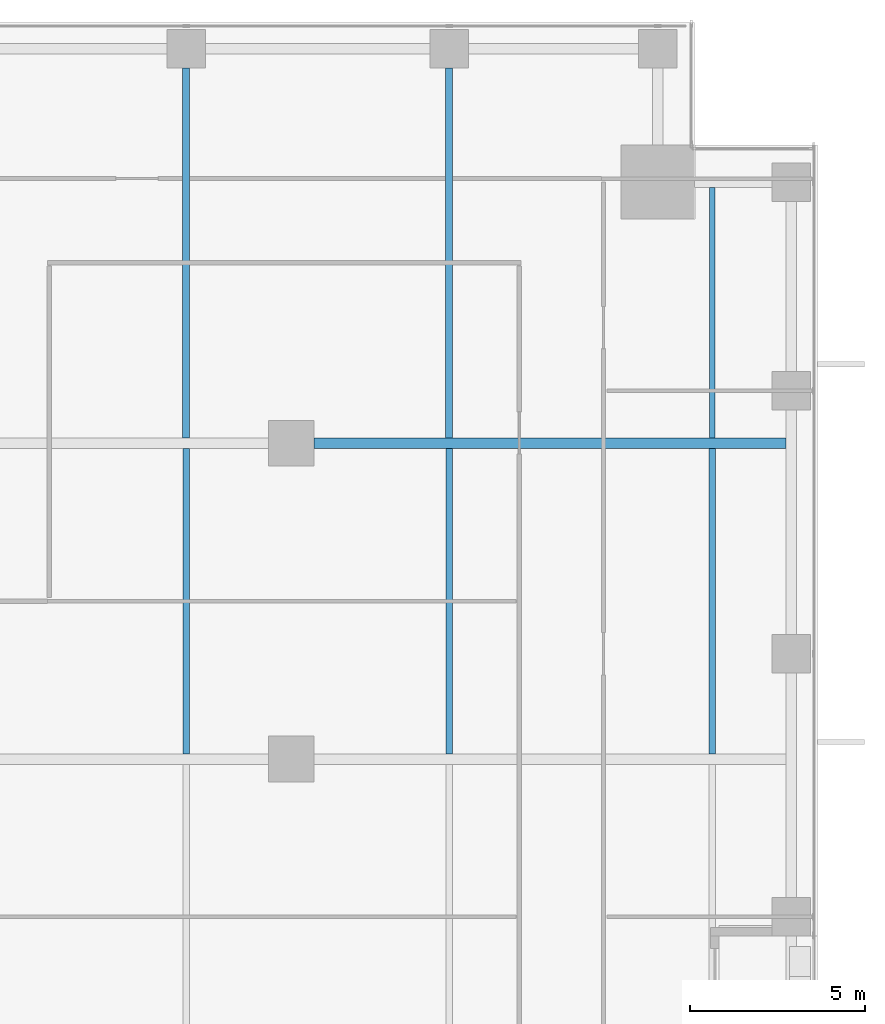
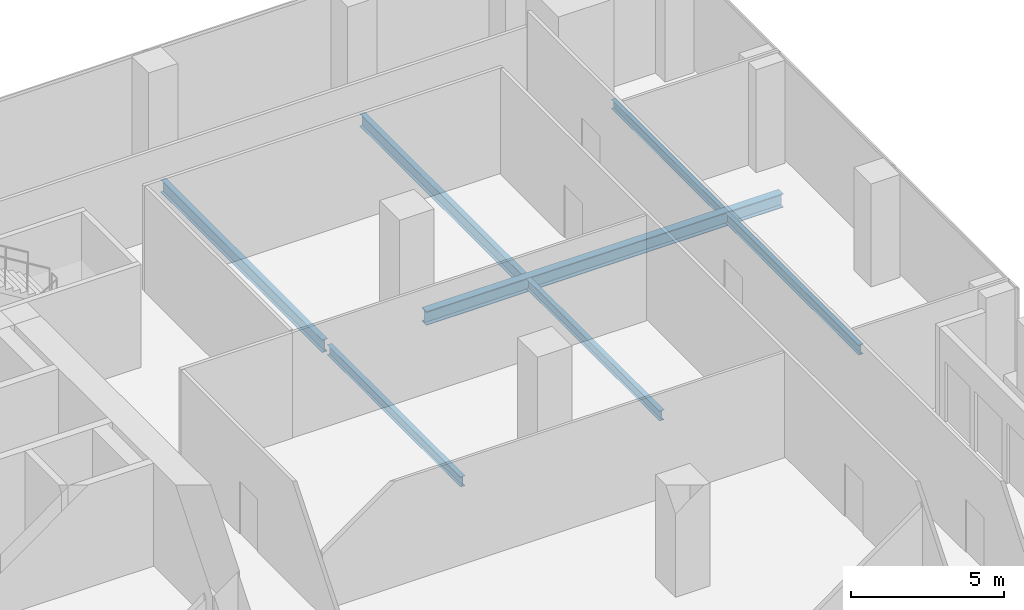
# One storey, part 18 of 34: 7 beams.
"""IFC4 building model written with IfcOpenShell, lengths in metres."""

from ifc_helpers import new_model, si_unit, direction, frame, origin, origin_2d, place, context, subcontext, project, spatial, i_section, extrude, source, transform, mapped, material, material_profile, profile_set, type_object, element, save


model = new_model("IFC4")

# Units and contexts
model_context = context("Model", 3, precision=1e-05, world=origin(), true_north=direction((0.0, 1.0)))
body_context = subcontext(model_context, "Body", "Model", "MODEL_VIEW")
ifc_project = project(units=[si_unit("LENGTHUNIT", "METRE"), si_unit("AREAUNIT", "SQUARE_METRE"), si_unit("VOLUMEUNIT", "CUBIC_METRE"), si_unit("PLANEANGLEUNIT", "RADIAN"), si_unit("MASSUNIT", "GRAM", prefix="KILO")], contexts=[model_context])

# Site, building, storey
site_placement = place(None, origin())
site = spatial("IfcSite", under=ifc_project, at=site_placement, CompositionType="ELEMENT")
building_placement = place(site_placement, origin())
building = spatial("IfcBuilding", under=site, at=building_placement, Name="Khomas Fold Tower", CompositionType="ELEMENT")
storey_placement = place(building_placement, frame((0.0, 0.0, 110.300048828125)))
storey = spatial("IfcBuildingStorey", under=building, at=storey_placement, Name="L23", CompositionType="ELEMENT", Elevation=110.300048828125)

# Beams
ifc_material_1 = material(Name="Steel S355", Category="steel")
ifc_material_profile_1 = material_profile(ifc_material_1, i_section(OverallWidth=0.179931640625, OverallDepth=0.39990234375, WebThickness=0.008544921875, FlangeThickness=0.013427734375, at=origin_2d()), Name="IPE 400")
ifc_profile_set_1 = profile_set([ifc_material_profile_1], Name="Steel S355")
beam_type_1 = type_object("IfcBeamType", Name="IPE 400 beam JB3", PredefinedType="BEAM", material=ifc_profile_set_1)
shared_shape_1 = source(origin(), body_context, "Body", "SweptSolid", [
    extrude(i_section(OverallWidth=0.179931640625, OverallDepth=0.39990234375, WebThickness=0.008544921875, FlangeThickness=0.013427734375, at=origin_2d()), origin(), (0.0, 0.0, 1.0), 8.7001953125),
])
for number, where, z_axis, x_axis, name in (
    (1, (34.5, 31.64990234375, -0.5), (0.0, 1.0, 0.0), (-1.0, 0.0, 0.0), "JB3"),
    (2, (42.0, 31.64990234375, -0.5), (0.0, 1.0, 0.0), (-1.0, 0.0, 0.0), "JB3"),
    (3, (49.5, 31.64990234375, -0.5), (0.0, 1.0, 0.0), (-1.0, 0.0, 0.0), "JB3"),
):
    element("IfcBeam", number, at=place(storey_placement, frame(where, z_axis=z_axis, x_axis=x_axis)), inside=storey, type_object=beam_type_1, Name=name, PredefinedType="BEAM", context=body_context, shape_type="MappedRepresentation", body=[
        mapped(shared_shape_1, transform((0.0, 0.0, 0.0))),
    ])
ifc_material_2 = material(Name="Steel S355", Category="steel")
ifc_material_profile_2 = material_profile(ifc_material_2, i_section(OverallWidth=0.169921875, OverallDepth=0.360107421875, WebThickness=0.008056640625, FlangeThickness=0.0126953125, at=origin_2d()), Name="IPE 360")
ifc_profile_set_2 = profile_set([ifc_material_profile_2], Name="Steel S355")
beam_type_2 = type_object("IfcBeamType", Name="IPE 360 beam JB2", PredefinedType="BEAM", material=ifc_profile_set_2)
shared_shape_2 = source(origin(), body_context, "Body", "SweptSolid", [
    extrude(i_section(OverallWidth=0.169921875, OverallDepth=0.360107421875, WebThickness=0.008056640625, FlangeThickness=0.0126953125, at=origin_2d()), origin(), (0.0, 0.0, 1.0), 7.150146484375),
])
beam_1_placement = place(storey_placement, frame((49.5, 40.64990234375, -0.47998046875), z_axis=(0.0, 1.0, 0.0), x_axis=(-1.0, 0.0, 0.0)))
element("IfcBeam", 4, at=beam_1_placement, inside=storey, type_object=beam_type_2, Name="JB2", PredefinedType="BEAM", context=body_context, shape_type="MappedRepresentation", body=[
    mapped(shared_shape_2, transform((0.0, 0.0, 0.0))),
])
ifc_material_3 = material(Name="Steel S355", Category="steel")
ifc_material_profile_3 = material_profile(ifc_material_3, i_section(OverallWidth=0.300048828125, OverallDepth=0.550048828125, WebThickness=0.014892578125, FlangeThickness=0.029052734375, at=origin_2d()), Name="HE 550 B")
ifc_profile_set_3 = profile_set([ifc_material_profile_3], Name="Steel S355")
beam_type_3 = type_object("IfcBeamType", Name="HE 550 B beam GB4", PredefinedType="BEAM", material=ifc_profile_set_3)
shared_shape_3 = source(origin(), body_context, "Body", "SweptSolid", [
    extrude(i_section(OverallWidth=0.300048828125, OverallDepth=0.550048828125, WebThickness=0.014892578125, FlangeThickness=0.029052734375, at=origin_2d()), origin(), (0.0, 0.0, 1.0), 13.4501953125),
])
beam_2_placement = place(storey_placement, frame((38.14990234375, 40.5, -0.574951171875), z_axis=(1.0, 0.0, 0.0), x_axis=(0.0, 1.0, 0.0)))
element("IfcBeam", 5, at=beam_2_placement, inside=storey, type_object=beam_type_3, Name="GB4", PredefinedType="BEAM", context=body_context, shape_type="MappedRepresentation", body=[
    mapped(shared_shape_3, transform((0.0, 0.0, 0.0))),
])
ifc_material_4 = material(Name="Steel S355", Category="steel")
ifc_material_profile_4 = material_profile(ifc_material_4, i_section(OverallWidth=0.199951171875, OverallDepth=0.5, WebThickness=0.01025390625, FlangeThickness=0.01611328125, at=origin_2d()), Name="IPE 500")
ifc_profile_set_4 = profile_set([ifc_material_profile_4], Name="Steel S355")
beam_type_4 = type_object("IfcBeamType", Name="IPE 500 beam JB5", PredefinedType="BEAM", material=ifc_profile_set_4)
shared_shape_4 = source(origin(), body_context, "Body", "SweptSolid", [
    extrude(i_section(OverallWidth=0.199951171875, OverallDepth=0.5, WebThickness=0.01025390625, FlangeThickness=0.01611328125, at=origin_2d()), origin(), (0.0, 0.0, 1.0), 10.550048828125),
])
for number, where, z_axis, x_axis, name in (
    (6, (34.5, 40.64990234375, -0.550048828125), (0.0, 1.0, 0.0), (-1.0, 0.0, 0.0), "JB5"),
    (7, (42.0, 40.64990234375, -0.550048828125), (0.0, 1.0, 0.0), (-1.0, 0.0, 0.0), "JB5"),
):
    element("IfcBeam", number, at=place(storey_placement, frame(where, z_axis=z_axis, x_axis=x_axis)), inside=storey, type_object=beam_type_4, Name=name, PredefinedType="BEAM", context=body_context, shape_type="MappedRepresentation", body=[
        mapped(shared_shape_4, transform((0.0, 0.0, 0.0))),
    ])

save(model, "model.ifc")
